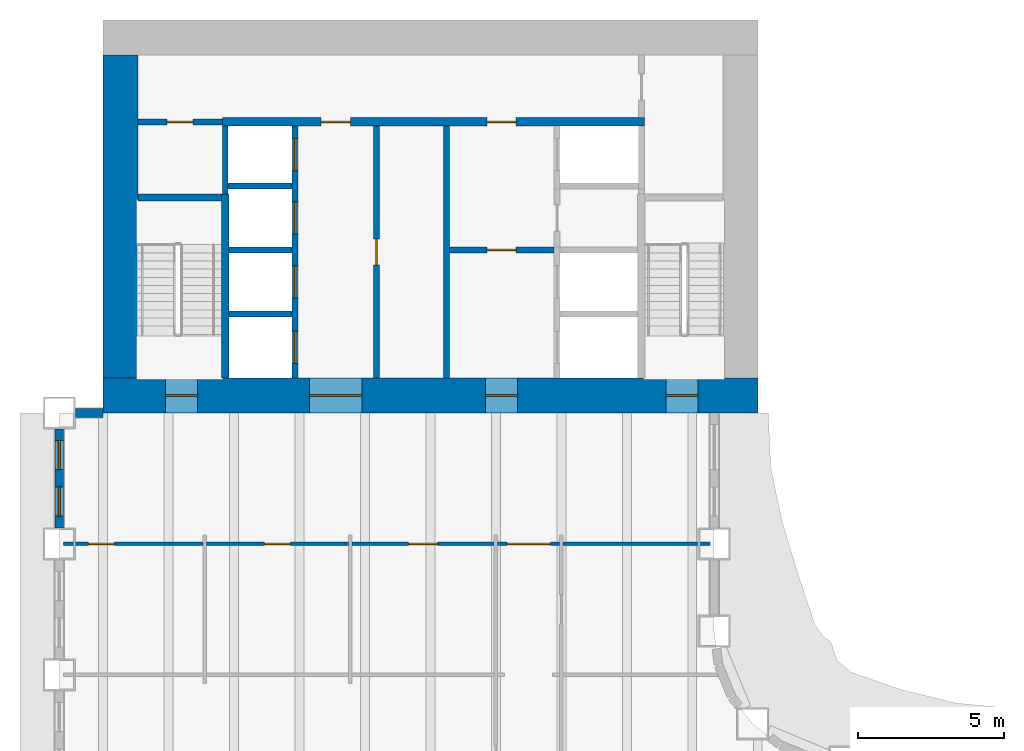
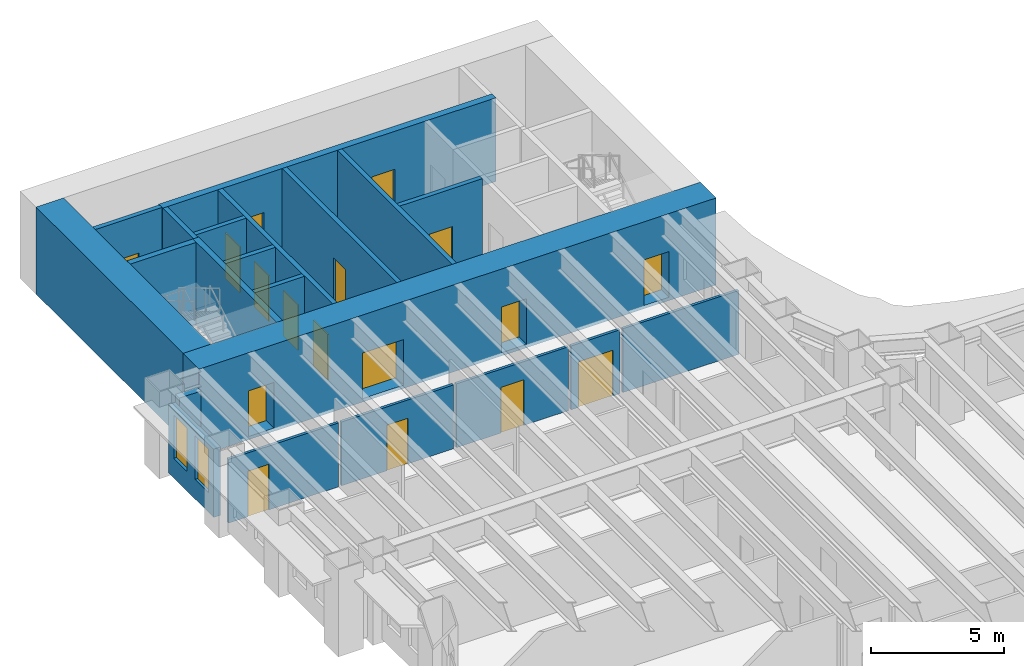
# One storey, part 7 of 15: 21 walls, 17 doors, 2 windows, 19 openings.
"""IFC4 building model written with IfcOpenShell, lengths in metres."""

import ifcopenshell
import ifcopenshell.guid

model = None  # the IFC model being written
_history = None  # IfcOwnerHistory: only IFC2X3 demands one
_inside = {}  # id of a spatial element -> (the spatial element, [elements in it])
_under = {}  # id of a project, library or spatial element -> (it, [spatial elements below it])
_declared = {}  # id of a project -> (the project, [libraries it declares])
_typed = {}  # id of a type object -> (the type object, [elements of that type])
_made_of = {}  # id of a material, layer set ... -> (it, [elements and type objects made of it])


def new_model(schema):
    """Start an empty IFC model of exactly this schema.

    Asked for "IFC4X3", IfcOpenShell would pick the latest addendum, in which some entities
    have other attributes; the version numbers below select the first issue.
    IFC2X3 requires an IfcOwnerHistory on every rooted entity: one is made here for all.
    """
    global model, _history
    if schema == "IFC4X3":
        model = ifcopenshell.file(schema_version=(4, 3, 0, 0))
    else:
        model = ifcopenshell.file(schema=schema)
    _inside.clear()
    _under.clear()
    _declared.clear()
    _typed.clear()
    _made_of.clear()
    _history = None
    if model.schema == "IFC2X3":
        org = make("IfcOrganization", Name="unknown")
        user = make(
            "IfcPersonAndOrganization",
            ThePerson=make("IfcPerson", FamilyName="unknown"),
            TheOrganization=org,
        )
        app = make(
            "IfcApplication",
            ApplicationDeveloper=org,
            Version="unknown",
            ApplicationFullName="unknown",
            ApplicationIdentifier="unknown",
        )
        _history = make(
            "IfcOwnerHistory",
            OwningUser=user,
            OwningApplication=app,
            ChangeAction="ADDED",
            CreationDate=0,
        )
    return model


def make(cls, **values):
    """One entity of the class cls with the attributes given. An attribute that is None is left unset."""
    return model.create_entity(
        cls, **{name: value for name, value in values.items() if value is not None}
    )


def rooted(cls, **values):
    """An entity with a GlobalId (a new one), such as an element, a storey or a relation."""
    return make(cls, GlobalId=ifcopenshell.guid.new(), OwnerHistory=_history, **values)


def si_unit(unit_type, name, prefix=None):
    """IfcSIUnit, for example si_unit("LENGTHUNIT", "METRE", prefix="MILLI")."""
    return make("IfcSIUnit", UnitType=unit_type, Prefix=prefix, Name=name)


def assignment(units):
    """IfcUnitAssignment: the units of a project."""
    return None if units is None else make("IfcUnitAssignment", Units=units)


def point(xyz):
    """IfcCartesianPoint."""
    return None if xyz is None else make("IfcCartesianPoint", Coordinates=xyz)


def direction(xyz):
    """IfcDirection."""
    return None if xyz is None else make("IfcDirection", DirectionRatios=xyz)


def frame(location, z_axis=None, x_axis=None):
    """IfcAxis2Placement3D, a coordinate frame: its origin and axes. An axis left out is left unset."""
    return make(
        "IfcAxis2Placement3D",
        Location=point(location),
        Axis=direction(z_axis),
        RefDirection=direction(x_axis),
    )


def frame_2d(location, x_axis=None):
    """IfcAxis2Placement2D, a coordinate frame in the plane: its origin and x axis."""
    return make(
        "IfcAxis2Placement2D", Location=point(location), RefDirection=direction(x_axis)
    )


def origin():
    """The frame at (0, 0, 0) with its axes left unset."""
    return frame((0.0, 0.0, 0.0))


def place(relative_to, where):
    """IfcLocalPlacement: puts the frame where relative to a parent placement (None: the world)."""
    return make(
        "IfcLocalPlacement", PlacementRelTo=relative_to, RelativePlacement=where
    )


def context(
    kind, dimensions, precision=None, world=None, true_north=None, identifier=None
):
    """IfcGeometricRepresentationContext, for example the 3D "Model" context."""
    return make(
        "IfcGeometricRepresentationContext",
        ContextIdentifier=identifier,
        ContextType=kind,
        CoordinateSpaceDimension=dimensions,
        Precision=precision,
        WorldCoordinateSystem=world,
        TrueNorth=true_north,
    )


def subcontext(parent, identifier, kind, view, scale=None):
    """IfcGeometricRepresentationSubContext, for example "Body" below "Model"."""
    return make(
        "IfcGeometricRepresentationSubContext",
        ContextIdentifier=identifier,
        ContextType=kind,
        ParentContext=parent,
        TargetScale=scale,
        TargetView=view,
    )


def project(units=None, contexts=None):
    """IfcProject with its units and contexts."""
    return rooted(
        "IfcProject",
        Name="project",
        RepresentationContexts=contexts,
        UnitsInContext=assignment(units),
    )


def spatial(cls, under=None, at=None, **own):
    """A site, building, storey or space (cls), placed at a placement, below another one or the project."""
    s = rooted(cls, ObjectPlacement=at, **own)
    if under is not None:
        _under.setdefault(under.id(), (under, []))[1].append(s)
    return s


def profile(cls, at=None, kind="AREA", **sizes):
    """A parametric profile (cls). Its sizes go by their IFC names, for example OverallWidth=200.0."""
    return make(cls, ProfileType=kind, Position=at, **sizes)


def rectangle(**sizes):
    """IfcRectangleProfileDef."""
    return profile("IfcRectangleProfileDef", **sizes)


def extrude(swept, where, along, depth):
    """IfcExtrudedAreaSolid: the profile swept, set in the frame where, extruded along a direction by depth."""
    return make(
        "IfcExtrudedAreaSolid",
        SweptArea=swept,
        Position=where,
        ExtrudedDirection=direction(along),
        Depth=depth,
    )


def shape(context_of_items, identifier, shape_type, items):
    """IfcShapeRepresentation: the items that make up one representation, for example the "Body"."""
    return make(
        "IfcShapeRepresentation",
        ContextOfItems=context_of_items,
        RepresentationIdentifier=identifier,
        RepresentationType=shape_type,
        Items=items,
    )


def material(Name=None, Category=None):
    """IfcMaterial."""
    return make("IfcMaterial", Name=Name, Category=Category)


def layer(
    of_material, thickness, ventilated=None, Name=None, Category=None, Priority=None
):
    """IfcMaterialLayer: one layer of a wall or slab, of a material (None: an air gap)."""
    return make(
        "IfcMaterialLayer",
        Material=of_material,
        LayerThickness=thickness,
        IsVentilated=ventilated,
        Name=Name,
        Category=Category,
        Priority=Priority,
    )


def layer_set(layers, Name=None):
    """IfcMaterialLayerSet."""
    return make("IfcMaterialLayerSet", MaterialLayers=layers, LayerSetName=Name)


def made_of(thing, what):
    """Note that an element or type object is made of a material, layer set ...; save() writes the relation."""
    if what is not None:
        _made_of.setdefault(what.id(), (what, []))[1].append(thing)
    return thing


def type_object(cls, material=None, **own):
    """A type object (cls), such as IfcWallType, which elements share."""
    return made_of(rooted(cls, **own), material)


def element(
    cls,
    number,
    at=None,
    inside=None,
    cuts=None,
    type_object=None,
    material=None,
    context=None,
    identifier="Body",
    shape_type=None,
    held_by="IfcProductDefinitionShape",
    body=None,
    shapes=None,
    **own,
):
    """One element of the class cls, such as IfcWall. Its Tag is "e" and its number.

    at: its placement. inside: the storey or other place that contains it. cuts: it is an
    opening in that element (IfcRelVoidsElement). A single representation is given by context,
    identifier, shape_type and body (its items); several are given by shapes. held_by: the class
    of the entity that holds the representations. save() writes the other relations.
    """
    e = rooted(cls, Tag="e%d" % number, ObjectPlacement=at, **own)
    if body is not None:
        shapes = [shape(context, identifier, shape_type, body)]
    if shapes is not None:
        e.Representation = make(held_by, Representations=shapes)
    if inside is not None:
        _inside.setdefault(inside.id(), (inside, []))[1].append(e)
    if cuts is not None:
        rooted(
            "IfcRelVoidsElement", RelatingBuildingElement=cuts, RelatedOpeningElement=e
        )
    if type_object is not None:
        _typed.setdefault(type_object.id(), (type_object, []))[1].append(e)
    return made_of(e, material)


def fill(opening, filler):
    """IfcRelFillsElement: the door or window that sits in an opening."""
    return rooted(
        "IfcRelFillsElement",
        RelatingOpeningElement=opening,
        RelatedBuildingElement=filler,
    )


def aggregate(whole, parts):
    """IfcRelAggregates: a whole, such as a stair, and the parts it consists of."""
    return rooted("IfcRelAggregates", RelatingObject=whole, RelatedObjects=parts)


def save(model, path):
    """Write the relations noted so far, then the file.

    IfcRelAggregates (storeys below a building ...), IfcRelContainedInSpatialStructure (elements
    in a storey), IfcRelDefinesByType, IfcRelAssociatesMaterial and IfcRelDeclares: one each for
    every whole, place, type object, material and project.
    """
    for whole, parts in _under.values():
        aggregate(whole, parts)
    for where, things in _inside.values():
        rooted(
            "IfcRelContainedInSpatialStructure",
            RelatedElements=things,
            RelatingStructure=where,
        )
    for kind, things in _typed.values():
        rooted("IfcRelDefinesByType", RelatedObjects=things, RelatingType=kind)
    for what, things in _made_of.values():
        rooted("IfcRelAssociatesMaterial", RelatedObjects=things, RelatingMaterial=what)
    for by, libraries in _declared.values():
        rooted("IfcRelDeclares", RelatingContext=by, RelatedDefinitions=libraries)
    model.write(path)


model = new_model("IFC4")

# Units and contexts
model_context = context("Model", 3, precision=1e-05, world=origin(), true_north=direction((0.0, 1.0)))
body_context = subcontext(model_context, "Body", "Model", "MODEL_VIEW")
ifc_project = project(units=[si_unit("LENGTHUNIT", "METRE"), si_unit("AREAUNIT", "SQUARE_METRE"), si_unit("VOLUMEUNIT", "CUBIC_METRE"), si_unit("PLANEANGLEUNIT", "RADIAN"), si_unit("MASSUNIT", "GRAM", prefix="KILO")], contexts=[model_context])

# Site, building, storey
site_placement = place(None, origin())
site = spatial("IfcSite", under=ifc_project, at=site_placement, CompositionType="ELEMENT")
building_placement = place(site_placement, origin())
building = spatial("IfcBuilding", under=site, at=building_placement, Name="Sennacour Bend Tower", CompositionType="ELEMENT")
storey_placement = place(building_placement, frame((0.0, 0.0, 61.0)))
storey = spatial("IfcBuildingStorey", under=building, at=storey_placement, Name="L13", CompositionType="ELEMENT", Elevation=61.0)

# Wall, openings, doors
ifc_material_1 = material(Name="Concrete C80/95", Category="concrete")
ifc_layer_1 = layer(ifc_material_1, 1.199951171875, Name="Concrete C80/95", Category="concrete")
ifc_layer_set_1 = layer_set([ifc_layer_1], Name="Concrete C80/95")
wall_type_1 = type_object("IfcWallType", Name="Core wall 1200 C80/95", PredefinedType="SHEAR", material=ifc_layer_set_1)
wall_1_placement = place(storey_placement, frame((0.0, 36.60009765625, -0.14990234375), z_axis=(0.0, 0.0, 1.0), x_axis=(1.0, 0.0, 0.0)))
wall_1 = element("IfcWall", 1, at=wall_1_placement, inside=storey, type_object=wall_type_1, Name="Core B wall L13 S", PredefinedType="SHEAR", context=body_context, shape_type="SweptSolid", body=[
    extrude(rectangle(XDim=22.5, YDim=1.199951171875, at=frame_2d((11.25, 0.0))), origin(), (0.0, 0.0, 1.0), 4.0),
])
opening_1_placement = place(wall_1_placement, frame((7.10009765625, 0.0, 0.14990234375)))
opening_1 = element("IfcOpeningElement", 2, at=opening_1_placement, cuts=wall_1, Name="Opening CD", PredefinedType="OPENING", context=body_context, shape_type="SweptSolid", body=[
    extrude(rectangle(XDim=1.800048828125, YDim=2.10009765625, at=frame_2d((0.89990234375, 1.050048828125))), frame((0.0, 0.60986328125, 0.0), z_axis=(0.0, -1.0, 0.0), x_axis=(1.0, 0.0, 0.0)), (0.0, 0.0, 1.0), 1.219970703125),
])
opening_2_placement = place(wall_1_placement, frame((13.14990234375, 0.0, 0.14990234375)))
opening_2 = element("IfcOpeningElement", 3, at=opening_2_placement, cuts=wall_1, Name="Opening FD", PredefinedType="OPENING", context=body_context, shape_type="SweptSolid", body=[
    extrude(rectangle(XDim=1.10009765625, YDim=2.10009765625, at=frame_2d((0.550048828125, 1.050048828125))), frame((0.0, 0.60986328125, 0.0), z_axis=(0.0, -1.0, 0.0), x_axis=(1.0, 0.0, 0.0)), (0.0, 0.0, 1.0), 1.219970703125),
])
opening_3_placement = place(wall_1_placement, frame((2.14990234375, 0.0, 0.14990234375)))
opening_3 = element("IfcOpeningElement", 4, at=opening_3_placement, cuts=wall_1, Name="Opening SD", PredefinedType="OPENING", context=body_context, shape_type="SweptSolid", body=[
    extrude(rectangle(XDim=1.10009765625, YDim=2.10009765625, at=frame_2d((0.550048828125, 1.050048828125))), frame((0.0, 0.60986328125, 0.0), z_axis=(0.0, -1.0, 0.0), x_axis=(1.0, 0.0, 0.0)), (0.0, 0.0, 1.0), 1.219970703125),
])
opening_4_placement = place(wall_1_placement, frame((19.35009765625, 0.0, 0.14990234375)))
opening_4 = element("IfcOpeningElement", 5, at=opening_4_placement, cuts=wall_1, Name="Opening SD", PredefinedType="OPENING", context=body_context, shape_type="SweptSolid", body=[
    extrude(rectangle(XDim=1.10009765625, YDim=2.10009765625, at=frame_2d((0.550048828125, 1.050048828125))), frame((0.0, 0.60986328125, 0.0), z_axis=(0.0, -1.0, 0.0), x_axis=(1.0, 0.0, 0.0)), (0.0, 0.0, 1.0), 1.219970703125),
])
ifc_material_2 = material(Name="Painted steel", Category="steel")
door_type_1 = type_object("IfcDoorType", Name="DR-FFL-1100", OperationType="NOTDEFINED", PredefinedType="DOOR", material=ifc_material_2)
door_1_placement = place(opening_2_placement, origin())
door_1 = element("IfcDoor", 6, at=door_1_placement, inside=storey, type_object=door_type_1, Name="Door", OperationType="SINGLE_SWING_RIGHT", OverallHeight=2.10009765625, OverallWidth=1.10009765625, PredefinedType="DOOR", context=body_context, shape_type="SweptSolid", body=[
    extrude(rectangle(XDim=1.10009765625, YDim=2.10009765625, at=frame_2d((0.550048828125, 1.050048828125))), frame((0.0, 0.02490234375, 0.0), z_axis=(0.0, -1.0, 0.0), x_axis=(1.0, 0.0, 0.0)), (0.0, 0.0, 1.0), 0.050048828125),
])
fill(opening_2, door_1)
door_type_2 = type_object("IfcDoorType", Name="DR-LOBBY-1800", OperationType="NOTDEFINED", PredefinedType="DOOR", material=ifc_material_2)
door_2_placement = place(opening_1_placement, origin())
door_2 = element("IfcDoor", 7, at=door_2_placement, inside=storey, type_object=door_type_2, Name="Door", OperationType="DOUBLE_DOOR_SINGLE_SWING", OverallHeight=2.10009765625, OverallWidth=1.800048828125, PredefinedType="DOOR", context=body_context, shape_type="SweptSolid", body=[
    extrude(rectangle(XDim=1.800048828125, YDim=2.10009765625, at=frame_2d((0.89990234375, 1.050048828125))), frame((0.0, 0.02490234375, 0.0), z_axis=(0.0, -1.0, 0.0), x_axis=(1.0, 0.0, 0.0)), (0.0, 0.0, 1.0), 0.050048828125),
])
fill(opening_1, door_2)
door_type_3 = type_object("IfcDoorType", Name="DR-STAIR-1100", OperationType="NOTDEFINED", PredefinedType="DOOR", material=ifc_material_2)
door_3_placement = place(opening_3_placement, origin())
door_3 = element("IfcDoor", 8, at=door_3_placement, inside=storey, type_object=door_type_3, Name="Door", OperationType="SINGLE_SWING_LEFT", OverallHeight=2.10009765625, OverallWidth=1.10009765625, PredefinedType="DOOR", context=body_context, shape_type="SweptSolid", body=[
    extrude(rectangle(XDim=1.10009765625, YDim=2.10009765625, at=frame_2d((0.550048828125, 1.050048828125))), frame((0.0, 0.02490234375, 0.0), z_axis=(0.0, -1.0, 0.0), x_axis=(1.0, 0.0, 0.0)), (0.0, 0.0, 1.0), 0.050048828125),
])
fill(opening_3, door_3)
door_4_placement = place(opening_4_placement, origin())
door_4 = element("IfcDoor", 9, at=door_4_placement, inside=storey, type_object=door_type_3, Name="Door", OperationType="SINGLE_SWING_RIGHT", OverallHeight=2.10009765625, OverallWidth=1.10009765625, PredefinedType="DOOR", context=body_context, shape_type="SweptSolid", body=[
    extrude(rectangle(XDim=1.10009765625, YDim=2.10009765625, at=frame_2d((0.550048828125, 1.050048828125))), frame((0.0, 0.02490234375, 0.0), z_axis=(0.0, -1.0, 0.0), x_axis=(1.0, 0.0, 0.0)), (0.0, 0.0, 1.0), 0.050048828125),
])
fill(opening_4, door_4)

# Wall
wall_2_placement = place(storey_placement, frame((0.60009765625, 37.199951171875, -0.14990234375), z_axis=(0.0, 0.0, 1.0), x_axis=(0.0, 1.0, 0.0)))
element("IfcWall", 10, at=wall_2_placement, inside=storey, type_object=wall_type_1, Name="Core B wall L13 W", PredefinedType="SHEAR", context=body_context, shape_type="SweptSolid", body=[
    extrude(rectangle(XDim=11.10009765625, YDim=1.199951171875, at=frame_2d((5.550048828125, 0.0))), origin(), (0.0, 0.0, 1.0), 4.0),
])

# Wall, opening, door
ifc_material_3 = material(Name="Plasterboard partition on steel studs", Category="steel")
ifc_layer_2 = layer(ifc_material_3, 0.1201171875, Name="Plasterboard partition on steel studs", Category="steel")
ifc_layer_set_2 = layer_set([ifc_layer_2], Name="Plasterboard partition on steel studs")
wall_type_2 = type_object("IfcWallType", Name="Partition 120", PredefinedType="PARTITIONING", material=ifc_layer_set_2)
wall_3_placement = place(storey_placement, frame((-1.35009765625, 31.5, 0.0), z_axis=(0.0, 0.0, 1.0), x_axis=(1.0, 0.0, 0.0)))
wall_3 = element("IfcWall", 11, at=wall_3_placement, inside=storey, type_object=wall_type_2, Name="P-L13-W070aa", PredefinedType="PARTITIONING", context=body_context, shape_type="SweptSolid", body=[
    extrude(rectangle(XDim=4.7900390625, YDim=0.1201171875, at=frame_2d((2.39501953125, 0.0))), origin(), (0.0, 0.0, 1.0), 2.93798828125),
])
opening_5_placement = place(wall_3_placement, frame((0.85009765625, 0.0, 0.0)))
opening_5 = element("IfcOpeningElement", 12, at=opening_5_placement, cuts=wall_3, Name="Opening WD", PredefinedType="OPENING", context=body_context, shape_type="SweptSolid", body=[
    extrude(rectangle(XDim=0.89990234375, YDim=2.10009765625, at=frame_2d((0.449951171875, 1.050048828125))), frame((0.0, 0.070068359375, 0.0), z_axis=(0.0, -1.0, 0.0), x_axis=(1.0, 0.0, 0.0)), (0.0, 0.0, 1.0), 0.14013671875),
])
ifc_material_4 = material(Name="Timber", Category="wood")
door_type_4 = type_object("IfcDoorType", Name="DR-WC-900", OperationType="NOTDEFINED", PredefinedType="DOOR", material=ifc_material_4)
door_5_placement = place(opening_5_placement, origin())
door_5 = element("IfcDoor", 13, at=door_5_placement, inside=storey, type_object=door_type_4, Name="Door", OperationType="SINGLE_SWING_LEFT", OverallHeight=2.10009765625, OverallWidth=0.89990234375, PredefinedType="DOOR", context=body_context, shape_type="SweptSolid", body=[
    extrude(rectangle(XDim=0.89990234375, YDim=2.10009765625, at=frame_2d((0.449951171875, 1.050048828125))), frame((0.0, 0.02490234375, 0.0), z_axis=(0.0, -1.0, 0.0), x_axis=(1.0, 0.0, 0.0)), (0.0, 0.0, 1.0), 0.050048828125),
])
fill(opening_5, door_5)

wall_4_placement = place(storey_placement, frame((3.56005859375, 31.5, 0.0), z_axis=(0.0, 0.0, 1.0), x_axis=(1.0, 0.0, 0.0)))
wall_4 = element("IfcWall", 14, at=wall_4_placement, inside=storey, type_object=wall_type_2, Name="P-L13-W070ab", PredefinedType="PARTITIONING", context=body_context, shape_type="SweptSolid", body=[
    extrude(rectangle(XDim=4.8798828125, YDim=0.1201171875, at=frame_2d((2.43994140625, 0.0))), origin(), (0.0, 0.0, 1.0), 2.93798828125),
])
opening_6_placement = place(wall_4_placement, frame((1.989990234375, 0.0, 0.0)))
opening_6 = element("IfcOpeningElement", 15, at=opening_6_placement, cuts=wall_4, Name="Opening WD", PredefinedType="OPENING", context=body_context, shape_type="SweptSolid", body=[
    extrude(rectangle(XDim=0.89990234375, YDim=2.10009765625, at=frame_2d((0.449951171875, 1.050048828125))), frame((0.0, 0.070068359375, 0.0), z_axis=(0.0, -1.0, 0.0), x_axis=(1.0, 0.0, 0.0)), (0.0, 0.0, 1.0), 0.14013671875),
])
door_6_placement = place(opening_6_placement, origin())
door_6 = element("IfcDoor", 16, at=door_6_placement, inside=storey, type_object=door_type_4, Name="Door", OperationType="SINGLE_SWING_LEFT", OverallHeight=2.10009765625, OverallWidth=0.89990234375, PredefinedType="DOOR", context=body_context, shape_type="SweptSolid", body=[
    extrude(rectangle(XDim=0.89990234375, YDim=2.10009765625, at=frame_2d((0.449951171875, 1.050048828125))), frame((0.0, 0.02490234375, 0.0), z_axis=(0.0, -1.0, 0.0), x_axis=(1.0, 0.0, 0.0)), (0.0, 0.0, 1.0), 0.050048828125),
])
fill(opening_6, door_6)

wall_5_placement = place(storey_placement, frame((8.56005859375, 31.5, 0.0), z_axis=(0.0, 0.0, 1.0), x_axis=(1.0, 0.0, 0.0)))
wall_5 = element("IfcWall", 17, at=wall_5_placement, inside=storey, type_object=wall_type_2, Name="P-L13-W070ac", PredefinedType="PARTITIONING", context=body_context, shape_type="SweptSolid", body=[
    extrude(rectangle(XDim=4.8798828125, YDim=0.1201171875, at=frame_2d((2.43994140625, 0.0))), origin(), (0.0, 0.0, 1.0), 2.93798828125),
])
opening_7_placement = place(wall_5_placement, frame((1.93994140625, 0.0, 0.0)))
opening_7 = element("IfcOpeningElement", 18, at=opening_7_placement, cuts=wall_5, Name="Opening AD", PredefinedType="OPENING", context=body_context, shape_type="SweptSolid", body=[
    extrude(rectangle(XDim=1.0, YDim=2.10009765625, at=frame_2d((0.5, 1.050048828125))), frame((0.0, 0.070068359375, 0.0), z_axis=(0.0, -1.0, 0.0), x_axis=(1.0, 0.0, 0.0)), (0.0, 0.0, 1.0), 0.14013671875),
])
door_type_5 = type_object("IfcDoorType", Name="DR-ACC-WC-1000", OperationType="NOTDEFINED", PredefinedType="DOOR", material=ifc_material_4)
door_7_placement = place(opening_7_placement, origin())
door_7 = element("IfcDoor", 19, at=door_7_placement, inside=storey, type_object=door_type_5, Name="Door", OperationType="SINGLE_SWING_LEFT", OverallHeight=2.10009765625, OverallWidth=1.0, PredefinedType="DOOR", context=body_context, shape_type="SweptSolid", body=[
    extrude(rectangle(XDim=1.0, YDim=2.10009765625, at=frame_2d((0.5, 1.050048828125))), frame((0.0, 0.02490234375, 0.0), z_axis=(0.0, -1.0, 0.0), x_axis=(1.0, 0.0, 0.0)), (0.0, 0.0, 1.0), 0.050048828125),
])
fill(opening_7, door_7)

# Wall
wall_6_placement = place(storey_placement, frame((15.81005859375, 31.5, 0.0), z_axis=(0.0, 0.0, 1.0), x_axis=(1.0, 0.0, 0.0)))
element("IfcWall", 20, at=wall_6_placement, inside=storey, type_object=wall_type_2, Name="P-L13-W070ae", PredefinedType="PARTITIONING", context=body_context, shape_type="SweptSolid", body=[
    extrude(rectangle(XDim=5.0400390625, YDim=0.1201171875, at=frame_2d((2.52001953125, 0.0))), origin(), (0.0, 0.0, 1.0), 2.93798828125),
])

# Wall, opening, door
ifc_layer_3 = layer(ifc_material_3, 0.1201171875, Name="Plasterboard partition on steel studs", Category="steel")
ifc_layer_set_3 = layer_set([ifc_layer_3], Name="Plasterboard partition on steel studs")
wall_type_3 = type_object("IfcWallType", Name="Partition 120 EI 30", PredefinedType="PARTITIONING", material=ifc_layer_set_3)
wall_7_placement = place(storey_placement, frame((13.56005859375, 31.5, 0.0), z_axis=(0.0, 0.0, 1.0), x_axis=(1.0, 0.0, 0.0)))
wall_7 = element("IfcWall", 21, at=wall_7_placement, inside=storey, type_object=wall_type_3, Name="P-L13-W070ad", PredefinedType="PARTITIONING", context=body_context, shape_type="SweptSolid", body=[
    extrude(rectangle(XDim=2.1298828125, YDim=0.1201171875, at=frame_2d((1.06494140625, 0.0))), origin(), (0.0, 0.0, 1.0), 2.93798828125),
])
opening_8_placement = place(wall_7_placement, frame((0.31494140625, 0.0, 0.0)))
opening_8 = element("IfcOpeningElement", 22, at=opening_8_placement, cuts=wall_7, Name="Opening KD", PredefinedType="OPENING", context=body_context, shape_type="SweptSolid", body=[
    extrude(rectangle(XDim=1.5, YDim=2.10009765625, at=frame_2d((0.75, 1.050048828125))), frame((0.0, 0.070068359375, 0.0), z_axis=(0.0, -1.0, 0.0), x_axis=(1.0, 0.0, 0.0)), (0.0, 0.0, 1.0), 0.14013671875),
])
door_type_6 = type_object("IfcDoorType", Name="DR-CORRIDOR-1500", OperationType="NOTDEFINED", PredefinedType="DOOR", material=ifc_material_2)
door_8_placement = place(opening_8_placement, origin())
door_8 = element("IfcDoor", 23, at=door_8_placement, inside=storey, type_object=door_type_6, Name="Door", OperationType="SINGLE_SWING_LEFT", OverallHeight=2.10009765625, OverallWidth=1.5, PredefinedType="DOOR", context=body_context, shape_type="SweptSolid", body=[
    extrude(rectangle(XDim=1.5, YDim=2.10009765625, at=frame_2d((0.75, 1.050048828125))), frame((0.0, 0.02490234375, 0.0), z_axis=(0.0, -1.0, 0.0), x_axis=(1.0, 0.0, 0.0)), (0.0, 0.0, 1.0), 0.050048828125),
])
fill(opening_8, door_8)

ifc_material_5 = material(Name="Fire-rated plasterboard partition on steel studs", Category="steel")
ifc_layer_4 = layer(ifc_material_5, 0.199951171875, Name="Fire-rated plasterboard partition on steel studs", Category="steel")
ifc_layer_set_4 = layer_set([ifc_layer_4], Name="Fire-rated plasterboard partition on steel studs")
wall_type_4 = type_object("IfcWallType", Name="Rated partition 200", PredefinedType="PARTITIONING", material=ifc_layer_set_4)
wall_8_placement = place(storey_placement, frame((9.39990234375, 37.199951171875, 0.0), z_axis=(0.0, 0.0, 1.0), x_axis=(0.0, 1.0, 0.0)))
wall_8 = element("IfcWall", 24, at=wall_8_placement, inside=storey, type_object=wall_type_4, Name="P-L13-W010", PredefinedType="PARTITIONING", context=body_context, shape_type="SweptSolid", body=[
    extrude(rectangle(XDim=8.650146484375, YDim=0.199951171875, at=frame_2d((4.3251953125, 0.0))), origin(), (0.0, 0.0, 1.0), 3.85009765625),
])
opening_9_placement = place(wall_8_placement, frame((3.875, 0.0, 0.0)))
opening_9 = element("IfcOpeningElement", 25, at=opening_9_placement, cuts=wall_8, Name="Opening SV", PredefinedType="OPENING", context=body_context, shape_type="SweptSolid", body=[
    extrude(rectangle(XDim=0.89990234375, YDim=2.10009765625, at=frame_2d((0.449951171875, 1.050048828125))), frame((0.0, 0.10986328125, 0.0), z_axis=(0.0, -1.0, 0.0), x_axis=(1.0, 0.0, 0.0)), (0.0, 0.0, 1.0), 0.219970703125),
])
door_type_7 = type_object("IfcDoorType", Name="DR-SERVICE-900", OperationType="NOTDEFINED", PredefinedType="DOOR", material=ifc_material_2)
door_9_placement = place(opening_9_placement, origin())
door_9 = element("IfcDoor", 26, at=door_9_placement, inside=storey, type_object=door_type_7, Name="Door", OperationType="SINGLE_SWING_LEFT", OverallHeight=2.10009765625, OverallWidth=0.89990234375, PredefinedType="DOOR", context=body_context, shape_type="SweptSolid", body=[
    extrude(rectangle(XDim=0.89990234375, YDim=2.10009765625, at=frame_2d((0.449951171875, 1.050048828125))), frame((0.0, 0.02490234375, 0.0), z_axis=(0.0, -1.0, 0.0), x_axis=(1.0, 0.0, 0.0)), (0.0, 0.0, 1.0), 0.050048828125),
])
fill(opening_9, door_9)

# Wall
wall_9_placement = place(storey_placement, frame((11.800048828125, 37.199951171875, 0.0), z_axis=(0.0, 0.0, 1.0), x_axis=(0.0, 1.0, 0.0)))
element("IfcWall", 27, at=wall_9_placement, inside=storey, type_object=wall_type_4, Name="P-L13-W011", PredefinedType="PARTITIONING", context=body_context, shape_type="SweptSolid", body=[
    extrude(rectangle(XDim=8.650146484375, YDim=0.199951171875, at=frame_2d((4.3251953125, 0.0))), origin(), (0.0, 0.0, 1.0), 3.85009765625),
])

# Wall, opening, door
wall_10_placement = place(storey_placement, frame((1.199951171875, 46.0, 0.0), z_axis=(0.0, 0.0, 1.0), x_axis=(1.0, 0.0, 0.0)))
wall_10 = element("IfcWall", 28, at=wall_10_placement, inside=storey, type_object=wall_type_4, Name="P-L13-W081", PredefinedType="PARTITIONING", context=body_context, shape_type="SweptSolid", body=[
    extrude(rectangle(XDim=2.900146484375, YDim=0.199951171875, at=frame_2d((1.4501953125, 0.0))), origin(), (0.0, 0.0, 1.0), 3.85009765625),
])
opening_10_placement = place(wall_10_placement, frame((1.0, 0.0, 0.0)))
opening_10 = element("IfcOpeningElement", 29, at=opening_10_placement, cuts=wall_10, Name="Opening SV", PredefinedType="OPENING", context=body_context, shape_type="SweptSolid", body=[
    extrude(rectangle(XDim=0.89990234375, YDim=2.10009765625, at=frame_2d((0.449951171875, 1.050048828125))), frame((0.0, 0.10986328125, 0.0), z_axis=(0.0, -1.0, 0.0), x_axis=(1.0, 0.0, 0.0)), (0.0, 0.0, 1.0), 0.219970703125),
])
door_10_placement = place(opening_10_placement, origin())
door_10 = element("IfcDoor", 30, at=door_10_placement, inside=storey, type_object=door_type_7, Name="Door", OperationType="SINGLE_SWING_LEFT", OverallHeight=2.10009765625, OverallWidth=0.89990234375, PredefinedType="DOOR", context=body_context, shape_type="SweptSolid", body=[
    extrude(rectangle(XDim=0.89990234375, YDim=2.10009765625, at=frame_2d((0.449951171875, 1.050048828125))), frame((0.0, 0.02490234375, 0.0), z_axis=(0.0, -1.0, 0.0), x_axis=(1.0, 0.0, 0.0)), (0.0, 0.0, 1.0), 0.050048828125),
])
fill(opening_10, door_10)

ifc_layer_5 = layer(ifc_material_5, 0.199951171875, Name="Fire-rated plasterboard partition on steel studs", Category="steel")
ifc_layer_set_5 = layer_set([ifc_layer_5], Name="Fire-rated plasterboard partition on steel studs")
wall_type_5 = type_object("IfcWallType", Name="Rated partition 200 EI 90", PredefinedType="PARTITIONING", material=ifc_layer_set_5)
wall_11_placement = place(storey_placement, frame((11.89990234375, 41.60009765625, 0.0), z_axis=(0.0, 0.0, 1.0), x_axis=(1.0, 0.0, 0.0)))
wall_11 = element("IfcWall", 31, at=wall_11_placement, inside=storey, type_object=wall_type_5, Name="P-L13-W075", PredefinedType="PARTITIONING", context=body_context, shape_type="SweptSolid", body=[
    extrude(rectangle(XDim=3.60009765625, YDim=0.199951171875, at=frame_2d((1.800048828125, 0.0))), origin(), (0.0, 0.0, 1.0), 3.85009765625),
])
opening_11_placement = place(wall_11_placement, frame((1.300048828125, 0.0, 0.0)))
opening_11 = element("IfcOpeningElement", 32, at=opening_11_placement, cuts=wall_11, Name="Opening FD2", PredefinedType="OPENING", context=body_context, shape_type="SweptSolid", body=[
    extrude(rectangle(XDim=1.0, YDim=2.10009765625, at=frame_2d((0.5, 1.050048828125))), frame((0.0, 0.10986328125, 0.0), z_axis=(0.0, -1.0, 0.0), x_axis=(1.0, 0.0, 0.0)), (0.0, 0.0, 1.0), 0.219970703125),
])
door_type_8 = type_object("IfcDoorType", Name="DR-FFL-1000", OperationType="NOTDEFINED", PredefinedType="DOOR", material=ifc_material_2)
door_11_placement = place(opening_11_placement, origin())
door_11 = element("IfcDoor", 33, at=door_11_placement, inside=storey, type_object=door_type_8, Name="Door", OperationType="SINGLE_SWING_LEFT", OverallHeight=2.10009765625, OverallWidth=1.0, PredefinedType="DOOR", context=body_context, shape_type="SweptSolid", body=[
    extrude(rectangle(XDim=1.0, YDim=2.10009765625, at=frame_2d((0.5, 1.050048828125))), frame((0.0, 0.02490234375, 0.0), z_axis=(0.0, -1.0, 0.0), x_axis=(1.0, 0.0, 0.0)), (0.0, 0.0, 1.0), 0.050048828125),
])
fill(opening_11, door_11)

# Wall
ifc_material_6 = material(Name="Warm limestone cladding", Category="masonry")
ifc_layer_6 = layer(ifc_material_6, 0.050048828125, Name="Warm limestone cladding", Category="masonry")
ifc_material_7 = material(Name="Precast concrete C40/50", Category="concrete")
ifc_layer_7 = layer(ifc_material_7, 0.25, Name="Precast concrete C40/50", Category="concrete")
ifc_layer_set_6 = layer_set([ifc_layer_6, ifc_layer_7], Name="Precast concrete C40/50 with limestone cladding")
wall_type_6 = type_object("IfcWallType", Name="STONE-CLAD PRECAST SPANDREL 300", PredefinedType="STANDARD", material=ifc_layer_set_6)
wall_12_placement = place(storey_placement, frame((0.0, 36.0, 0.0), z_axis=(0.0, 0.0, 1.0), x_axis=(-1.0, 0.0, 0.0)))
element("IfcWall", 34, at=wall_12_placement, inside=storey, type_object=wall_type_6, Name="Stone spandrel and pier wall L13 20.00", PredefinedType="STANDARD", context=body_context, shape_type="SweptSolid", body=[
    extrude(rectangle(XDim=0.949951171875, YDim=0.300048828125, at=frame_2d((0.47509765625, 0.0))), origin(), (0.0, 0.0, 1.0), 2.93798828125),
])

# Wall, openings, windows
wall_13_placement = place(storey_placement, frame((-1.5, 35.449951171875, 0.0), z_axis=(0.0, 0.0, 1.0), x_axis=(0.0, -1.0, 0.0)))
wall_13 = element("IfcWall", 35, at=wall_13_placement, inside=storey, type_object=wall_type_6, Name="Stone spandrel and pier wall L13 21.00", PredefinedType="STANDARD", context=body_context, shape_type="SweptSolid", body=[
    extrude(rectangle(XDim=3.39990234375, YDim=0.300048828125, at=frame_2d((1.699951171875, 0.0))), origin(), (0.0, 0.0, 1.0), 3.14404296875),
])
opening_12_placement = place(wall_13_placement, frame((0.39990234375, 0.0, 0.89990234375)))
opening_12 = element("IfcOpeningElement", 36, at=opening_12_placement, cuts=wall_13, Name="Opening W8", PredefinedType="OPENING", context=body_context, shape_type="SweptSolid", body=[
    extrude(rectangle(XDim=1.0, YDim=2.0, at=frame_2d((0.5, 1.0))), frame((0.0, 0.16015625, 0.0), z_axis=(0.0, -1.0, 0.0), x_axis=(1.0, 0.0, 0.0)), (0.0, 0.0, 1.0), 0.320068359375),
])
opening_13_placement = place(wall_13_placement, frame((2.0, 0.0, 0.89990234375)))
opening_13 = element("IfcOpeningElement", 37, at=opening_13_placement, cuts=wall_13, Name="Opening W8", PredefinedType="OPENING", context=body_context, shape_type="SweptSolid", body=[
    extrude(rectangle(XDim=1.0, YDim=2.0, at=frame_2d((0.5, 1.0))), frame((0.0, 0.16015625, 0.0), z_axis=(0.0, -1.0, 0.0), x_axis=(1.0, 0.0, 0.0)), (0.0, 0.0, 1.0), 0.320068359375),
])
ifc_material_8 = material(Name="Clear low-emissivity glass", Category="glass")
window_type = type_object("IfcWindowType", Name="WIN-RIBBON-1000x2000", PartitioningType="SINGLE_PANEL", PredefinedType="WINDOW", material=ifc_material_8)
window_1_placement = place(opening_12_placement, origin())
window_1 = element("IfcWindow", 38, at=window_1_placement, inside=storey, type_object=window_type, Name="Ribbon window L13 21.00.0", OverallHeight=2.0, OverallWidth=1.0, PartitioningType="SINGLE_PANEL", PredefinedType="WINDOW", context=body_context, shape_type="SweptSolid", body=[
    extrude(rectangle(XDim=1.0, YDim=2.0, at=frame_2d((0.5, 1.0))), frame((0.0, 0.030029296875, 0.0), z_axis=(0.0, -1.0, 0.0), x_axis=(1.0, 0.0, 0.0)), (0.0, 0.0, 1.0), 0.06005859375),
])
fill(opening_12, window_1)
window_2_placement = place(opening_13_placement, origin())
window_2 = element("IfcWindow", 39, at=window_2_placement, inside=storey, type_object=window_type, Name="Ribbon window L13 21.00.1", OverallHeight=2.0, OverallWidth=1.0, PartitioningType="SINGLE_PANEL", PredefinedType="WINDOW", context=body_context, shape_type="SweptSolid", body=[
    extrude(rectangle(XDim=1.0, YDim=2.0, at=frame_2d((0.5, 1.0))), frame((0.0, 0.030029296875, 0.0), z_axis=(0.0, -1.0, 0.0), x_axis=(1.0, 0.0, 0.0)), (0.0, 0.0, 1.0), 0.06005859375),
])
fill(opening_13, window_2)

# Wall
ifc_material_9 = material(Name="Concrete C50/60", Category="concrete")
ifc_layer_8 = layer(ifc_material_9, 0.199951171875, Name="Concrete C50/60", Category="concrete")
ifc_layer_set_7 = layer_set([ifc_layer_8], Name="Concrete C50/60")
wall_type_7 = type_object("IfcWallType", Name="Shaft wall 200", PredefinedType="SOLIDWALL", material=ifc_layer_set_7)
wall_14_placement = place(storey_placement, frame((4.199951171875, 43.52490234375, 0.0), z_axis=(0.0, 0.0, 1.0), x_axis=(0.0, 1.0, 0.0)))
element("IfcWall", 40, at=wall_14_placement, inside=storey, type_object=wall_type_7, Name="P-L13-W006", PredefinedType="SOLIDWALL", context=body_context, shape_type="SweptSolid", body=[
    extrude(rectangle(XDim=2.3251953125, YDim=0.199951171875, at=frame_2d((1.16259765625, 0.0))), origin(), (0.0, 0.0, 1.0), 3.85009765625),
])

# Wall, openings, doors
wall_15_placement = place(storey_placement, frame((6.60009765625, 37.199951171875, 0.0), z_axis=(0.0, 0.0, 1.0), x_axis=(0.0, 1.0, 0.0)))
wall_15 = element("IfcWall", 41, at=wall_15_placement, inside=storey, type_object=wall_type_7, Name="P-L13-W007", PredefinedType="SOLIDWALL", context=body_context, shape_type="SweptSolid", body=[
    extrude(rectangle(XDim=8.650146484375, YDim=0.199951171875, at=frame_2d((4.3251953125, 0.0))), origin(), (0.0, 0.0, 1.0), 3.85009765625),
])
opening_14_placement = place(wall_15_placement, frame((0.5, 0.0, 0.011962890625)))
opening_14 = element("IfcOpeningElement", 42, at=opening_14_placement, cuts=wall_15, Name="Opening LD", PredefinedType="OPENING", context=body_context, shape_type="SweptSolid", body=[
    extrude(rectangle(XDim=1.10009765625, YDim=2.10009765625, at=frame_2d((0.550048828125, 1.050048828125))), frame((0.0, 0.10986328125, 0.0), z_axis=(0.0, -1.0, 0.0), x_axis=(1.0, 0.0, 0.0)), (0.0, 0.0, 1.0), 0.219970703125),
])
opening_15_placement = place(wall_15_placement, frame((2.75, 0.0, 0.011962890625)))
opening_15 = element("IfcOpeningElement", 43, at=opening_15_placement, cuts=wall_15, Name="Opening LD", PredefinedType="OPENING", context=body_context, shape_type="SweptSolid", body=[
    extrude(rectangle(XDim=1.10009765625, YDim=2.10009765625, at=frame_2d((0.550048828125, 1.050048828125))), frame((0.0, 0.10986328125, 0.0), z_axis=(0.0, -1.0, 0.0), x_axis=(1.0, 0.0, 0.0)), (0.0, 0.0, 1.0), 0.219970703125),
])
opening_16_placement = place(wall_15_placement, frame((4.949951171875, 0.0, 0.011962890625)))
opening_16 = element("IfcOpeningElement", 44, at=opening_16_placement, cuts=wall_15, Name="Opening LD", PredefinedType="OPENING", context=body_context, shape_type="SweptSolid", body=[
    extrude(rectangle(XDim=1.10009765625, YDim=2.10009765625, at=frame_2d((0.550048828125, 1.050048828125))), frame((0.0, 0.10986328125, 0.0), z_axis=(0.0, -1.0, 0.0), x_axis=(1.0, 0.0, 0.0)), (0.0, 0.0, 1.0), 0.219970703125),
])
opening_17_placement = place(wall_15_placement, frame((7.125, 0.0, 0.011962890625)))
opening_17 = element("IfcOpeningElement", 45, at=opening_17_placement, cuts=wall_15, Name="Opening LD", PredefinedType="OPENING", context=body_context, shape_type="SweptSolid", body=[
    extrude(rectangle(XDim=1.10009765625, YDim=2.10009765625, at=frame_2d((0.550048828125, 1.050048828125))), frame((0.0, 0.10986328125, 0.0), z_axis=(0.0, -1.0, 0.0), x_axis=(1.0, 0.0, 0.0)), (0.0, 0.0, 1.0), 0.219970703125),
])
ifc_material_10 = material(Name="Stainless steel", Category="steel")
door_type_9 = type_object("IfcDoorType", Name="DR-LANDING-1100", OperationType="NOTDEFINED", PredefinedType="DOOR", material=ifc_material_10)
door_12_placement = place(opening_14_placement, origin())
door_12 = element("IfcDoor", 46, at=door_12_placement, inside=storey, type_object=door_type_9, Name="Lift landing door LB1", OperationType="SLIDING_TO_LEFT", OverallHeight=2.10009765625, OverallWidth=1.10009765625, PredefinedType="DOOR", context=body_context, shape_type="SweptSolid", body=[
    extrude(rectangle(XDim=1.10009765625, YDim=2.10009765625, at=frame_2d((0.550048828125, 1.050048828125))), frame((0.0, 0.02490234375, 0.0), z_axis=(0.0, -1.0, 0.0), x_axis=(1.0, 0.0, 0.0)), (0.0, 0.0, 1.0), 0.050048828125),
])
fill(opening_14, door_12)
door_13_placement = place(opening_15_placement, origin())
door_13 = element("IfcDoor", 47, at=door_13_placement, inside=storey, type_object=door_type_9, Name="Lift landing door LB2", OperationType="SLIDING_TO_RIGHT", OverallHeight=2.10009765625, OverallWidth=1.10009765625, PredefinedType="DOOR", context=body_context, shape_type="SweptSolid", body=[
    extrude(rectangle(XDim=1.10009765625, YDim=2.10009765625, at=frame_2d((0.550048828125, 1.050048828125))), frame((0.0, 0.02490234375, 0.0), z_axis=(0.0, -1.0, 0.0), x_axis=(1.0, 0.0, 0.0)), (0.0, 0.0, 1.0), 0.050048828125),
])
fill(opening_15, door_13)
door_14_placement = place(opening_16_placement, origin())
door_14 = element("IfcDoor", 48, at=door_14_placement, inside=storey, type_object=door_type_9, Name="Lift landing door LB3", OperationType="SLIDING_TO_LEFT", OverallHeight=2.10009765625, OverallWidth=1.10009765625, PredefinedType="DOOR", context=body_context, shape_type="SweptSolid", body=[
    extrude(rectangle(XDim=1.10009765625, YDim=2.10009765625, at=frame_2d((0.550048828125, 1.050048828125))), frame((0.0, 0.02490234375, 0.0), z_axis=(0.0, -1.0, 0.0), x_axis=(1.0, 0.0, 0.0)), (0.0, 0.0, 1.0), 0.050048828125),
])
fill(opening_16, door_14)
door_15_placement = place(opening_17_placement, origin())
door_15 = element("IfcDoor", 49, at=door_15_placement, inside=storey, type_object=door_type_9, Name="Lift landing door LB4", OperationType="SLIDING_TO_RIGHT", OverallHeight=2.10009765625, OverallWidth=1.10009765625, PredefinedType="DOOR", context=body_context, shape_type="SweptSolid", body=[
    extrude(rectangle(XDim=1.10009765625, YDim=2.10009765625, at=frame_2d((0.550048828125, 1.050048828125))), frame((0.0, 0.02490234375, 0.0), z_axis=(0.0, -1.0, 0.0), x_axis=(1.0, 0.0, 0.0)), (0.0, 0.0, 1.0), 0.050048828125),
])
fill(opening_17, door_15)

# Walls
for number, where, z_axis, x_axis, name in (
    (50, (4.324951171875, 39.39990234375, 0.0), (0.0, 0.0, 1.0), (1.0, 0.0, 0.0), "P-L13-W072"),
    (51, (4.324951171875, 41.60009765625, 0.0), (0.0, 0.0, 1.0), (1.0, 0.0, 0.0), "P-L13-W074"),
):
    element("IfcWall", number, at=place(storey_placement, frame(where, z_axis=z_axis, x_axis=x_axis)), inside=storey, type_object=wall_type_7, Name=name, PredefinedType="SOLIDWALL", context=body_context, shape_type="SweptSolid", body=[
        extrude(rectangle(XDim=2.175048828125, YDim=0.199951171875, at=frame_2d((1.08740234375, 0.0))), origin(), (0.0, 0.0, 1.0), 3.85009765625),
    ])
wall_16_placement = place(storey_placement, frame((4.300048828125, 43.800048828125, 0.0), z_axis=(0.0, 0.0, 1.0), x_axis=(1.0, 0.0, 0.0)))
element("IfcWall", 52, at=wall_16_placement, inside=storey, type_object=wall_type_7, Name="P-L13-W079", PredefinedType="SOLIDWALL", context=body_context, shape_type="SweptSolid", body=[
    extrude(rectangle(XDim=2.199951171875, YDim=0.199951171875, at=frame_2d((1.10009765625, 0.0))), origin(), (0.0, 0.0, 1.0), 3.85009765625),
])

# Wall, openings, doors
ifc_material_11 = material(Name="Concrete C60/75", Category="concrete")
ifc_layer_9 = layer(ifc_material_11, 0.300048828125, Name="Concrete C60/75", Category="concrete")
ifc_layer_set_8 = layer_set([ifc_layer_9], Name="Concrete C60/75")
wall_type_8 = type_object("IfcWallType", Name="Spine wall 300", PredefinedType="SHEAR", material=ifc_layer_set_8)
wall_17_placement = place(storey_placement, frame((4.10009765625, 46.0, 0.0), z_axis=(0.0, 0.0, 1.0), x_axis=(1.0, 0.0, 0.0)))
wall_17 = element("IfcWall", 53, at=wall_17_placement, inside=storey, type_object=wall_type_8, Name="P-L13-W082", PredefinedType="SHEAR", context=body_context, shape_type="SweptSolid", body=[
    extrude(rectangle(XDim=14.5, YDim=0.300048828125, at=frame_2d((7.25, 0.0))), origin(), (0.0, 0.0, 1.0), 3.85009765625),
])
opening_18_placement = place(wall_17_placement, frame((3.39990234375, 0.0, 0.0)))
opening_18 = element("IfcOpeningElement", 54, at=opening_18_placement, cuts=wall_17, Name="Opening CD2", PredefinedType="OPENING", context=body_context, shape_type="SweptSolid", body=[
    extrude(rectangle(XDim=1.0, YDim=2.10009765625, at=frame_2d((0.5, 1.050048828125))), frame((0.0, 0.16015625, 0.0), z_axis=(0.0, -1.0, 0.0), x_axis=(1.0, 0.0, 0.0)), (0.0, 0.0, 1.0), 0.320068359375),
])
opening_19_placement = place(wall_17_placement, frame((9.099853515625, 0.0, 0.0)))
opening_19 = element("IfcOpeningElement", 55, at=opening_19_placement, cuts=wall_17, Name="Opening CD2", PredefinedType="OPENING", context=body_context, shape_type="SweptSolid", body=[
    extrude(rectangle(XDim=1.0, YDim=2.10009765625, at=frame_2d((0.5, 1.050048828125))), frame((0.0, 0.16015625, 0.0), z_axis=(0.0, -1.0, 0.0), x_axis=(1.0, 0.0, 0.0)), (0.0, 0.0, 1.0), 0.320068359375),
])
door_type_10 = type_object("IfcDoorType", Name="DR-LOBBY-1000", OperationType="NOTDEFINED", PredefinedType="DOOR", material=ifc_material_2)
door_16_placement = place(opening_18_placement, origin())
door_16 = element("IfcDoor", 56, at=door_16_placement, inside=storey, type_object=door_type_10, Name="Door", OperationType="SINGLE_SWING_LEFT", OverallHeight=2.10009765625, OverallWidth=1.0, PredefinedType="DOOR", context=body_context, shape_type="SweptSolid", body=[
    extrude(rectangle(XDim=1.0, YDim=2.10009765625, at=frame_2d((0.5, 1.050048828125))), frame((0.0, 0.02490234375, 0.0), z_axis=(0.0, -1.0, 0.0), x_axis=(1.0, 0.0, 0.0)), (0.0, 0.0, 1.0), 0.050048828125),
])
fill(opening_18, door_16)
door_17_placement = place(opening_19_placement, origin())
door_17 = element("IfcDoor", 57, at=door_17_placement, inside=storey, type_object=door_type_10, Name="Door", OperationType="SINGLE_SWING_RIGHT", OverallHeight=2.10009765625, OverallWidth=1.0, PredefinedType="DOOR", context=body_context, shape_type="SweptSolid", body=[
    extrude(rectangle(XDim=1.0, YDim=2.10009765625, at=frame_2d((0.5, 1.050048828125))), frame((0.0, 0.02490234375, 0.0), z_axis=(0.0, -1.0, 0.0), x_axis=(1.0, 0.0, 0.0)), (0.0, 0.0, 1.0), 0.050048828125),
])
fill(opening_19, door_17)

# Walls
ifc_layer_10 = layer(ifc_material_11, 0.25, Name="Concrete C60/75", Category="concrete")
ifc_layer_set_9 = layer_set([ifc_layer_10], Name="Concrete C60/75")
wall_type_9 = type_object("IfcWallType", Name="Stair wall 250", PredefinedType="SHEAR", material=ifc_layer_set_9)
wall_18_placement = place(storey_placement, frame((4.199951171875, 37.199951171875, 0.0), z_axis=(0.0, 0.0, 1.0), x_axis=(0.0, 1.0, 0.0)))
element("IfcWall", 58, at=wall_18_placement, inside=storey, type_object=wall_type_9, Name="P-L13-W005", PredefinedType="SHEAR", context=body_context, shape_type="SweptSolid", body=[
    extrude(rectangle(XDim=6.324951171875, YDim=0.25, at=frame_2d((3.16259765625, 0.0))), origin(), (0.0, 0.0, 1.0), 3.85009765625),
])
wall_19_placement = place(storey_placement, frame((1.199951171875, 43.39990234375, 0.0), z_axis=(0.0, 0.0, 1.0), x_axis=(1.0, 0.0, 0.0)))
element("IfcWall", 59, at=wall_19_placement, inside=storey, type_object=wall_type_9, Name="P-L13-W077", PredefinedType="SHEAR", context=body_context, shape_type="SweptSolid", body=[
    extrude(rectangle(XDim=2.875, YDim=0.25, at=frame_2d((1.4375, 0.0))), origin(), (0.0, 0.0, 1.0), 3.85009765625),
])

save(model, "model.ifc")
